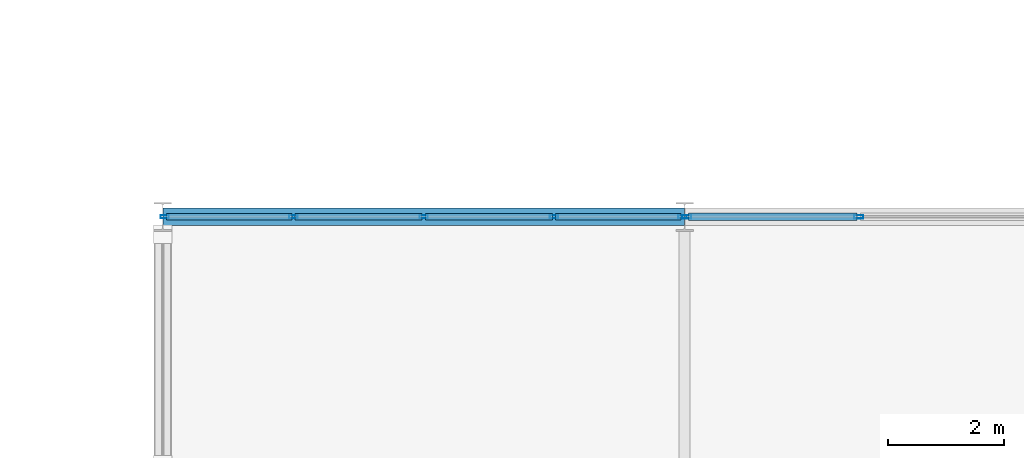
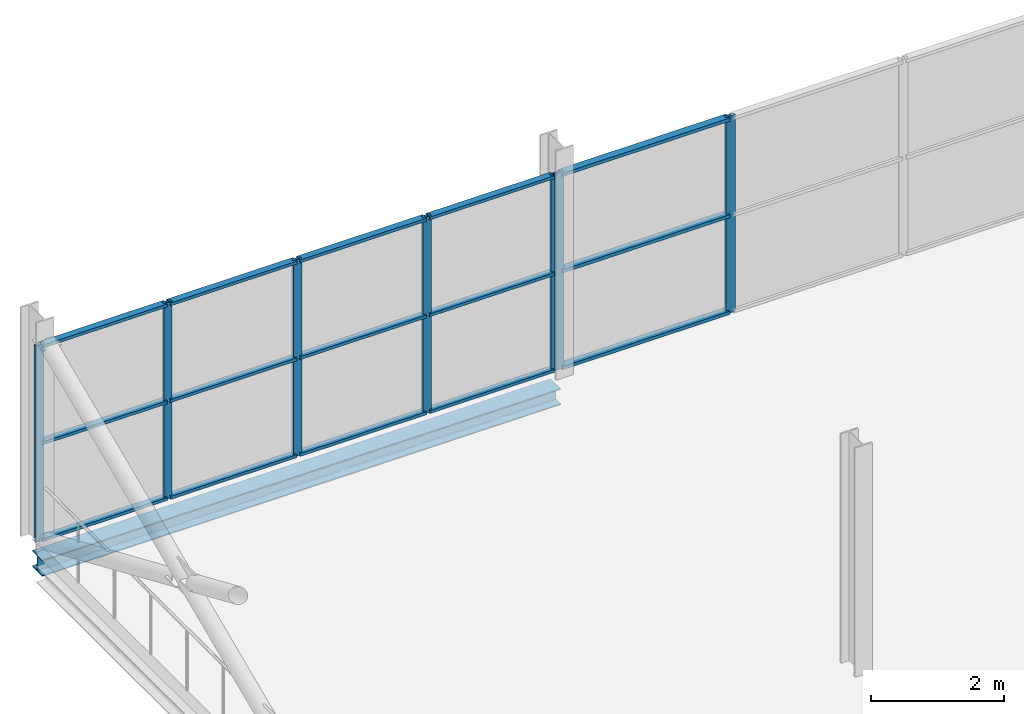
# One storey, part 71 of 140: 22 members, 1 beam, 2 elements without a shape of their own.
"""IFC4 building model written with IfcOpenShell, lengths in metres."""

from ifc_helpers import new_model, si_unit, direction, frame, origin, origin_2d, place, context, subcontext, project, spatial, hollow_rectangle, i_section, extrude, material, layer, layer_set, material_profile, profile_set, type_object, element, aggregate, save


model = new_model("IFC4")

# Units and contexts
model_context = context("Model", 3, precision=1e-05, world=origin(), true_north=direction((0.0, 1.0)))
body_context = subcontext(model_context, "Body", "Model", "MODEL_VIEW")
ifc_project = project(units=[si_unit("LENGTHUNIT", "METRE"), si_unit("AREAUNIT", "SQUARE_METRE"), si_unit("VOLUMEUNIT", "CUBIC_METRE"), si_unit("PLANEANGLEUNIT", "RADIAN"), si_unit("MASSUNIT", "GRAM", prefix="KILO")], contexts=[model_context])

# Site, building, storey
site_placement = place(None, origin())
site = spatial("IfcSite", under=ifc_project, at=site_placement, CompositionType="ELEMENT")
building_placement = place(site_placement, origin())
building = spatial("IfcBuilding", under=site, at=building_placement, Name="Deido Ridge Mobility Hub", CompositionType="ELEMENT")
storey_placement = place(building_placement, origin())
storey = spatial("IfcBuildingStorey", under=building, at=storey_placement, Name="L00", CompositionType="ELEMENT", Elevation=0.0)

# Curtain wall, members
ifc_material_1 = material(Name="Anodised aluminium EN AW-6063 T6", Category="aluminium")
ifc_layer_1 = layer(ifc_material_1, 0.132080078125, Name="Anodised aluminium EN AW-6063 T6")
ifc_layer_set_1 = layer_set([ifc_layer_1], Name="Anodised aluminium EN AW-6063 T6")
curtain_wall_type_1 = type_object("IfcCurtainWallType", Name="CW-GS-1", PredefinedType="USERDEFINED", material=ifc_layer_set_1)
curtain_wall_1_placement = place(storey_placement, origin())
curtain_wall_1 = element("IfcCurtainWall", 1, at=curtain_wall_1_placement, inside=storey, type_object=curtain_wall_type_1, Name="Unitised curtain wall GS1", ObjectType="GLAZED SCREEN", PredefinedType="USERDEFINED")
ifc_material_profile_1 = material_profile(ifc_material_1, hollow_rectangle(XDim=0.054931640625, YDim=0.14501953125, WallThickness=0.00390625, at=origin_2d()), Name="RHS 55x145x4")
ifc_profile_set_1 = profile_set([ifc_material_profile_1], Name="Anodised aluminium EN AW-6063 T6")
member_type_1 = type_object("IfcMemberType", Name="MEM-MUL-55X145", PredefinedType="MULLION", material=ifc_profile_set_1)
member_1_placement = place(storey_placement, frame((0.034912109375, 81.0, 0.0), z_axis=(0.0, 0.0, 1.0), x_axis=(0.0, 1.0, 0.0)))
member_1 = element("IfcMember", 2, at=member_1_placement, type_object=member_type_1, Name="GS1 mullion 1", PredefinedType="MULLION", context=body_context, shape_type="SweptSolid", body=[
    extrude(hollow_rectangle(XDim=0.054931640625, YDim=0.14501953125, WallThickness=0.00390625, at=origin_2d()), origin(), (0.0, 0.0, 1.0), 3.60009765625),
])
member_2_placement = place(storey_placement, frame((2.253662109375, 81.0, 0.0), z_axis=(0.0, 0.0, 1.0), x_axis=(0.0, 1.0, 0.0)))
member_2 = element("IfcMember", 3, at=member_2_placement, type_object=member_type_1, Name="GS1 mullion 2", PredefinedType="MULLION", context=body_context, shape_type="SweptSolid", body=[
    extrude(hollow_rectangle(XDim=0.054931640625, YDim=0.14501953125, WallThickness=0.00390625, at=origin_2d()), origin(), (0.0, 0.0, 1.0), 3.60009765625),
])
member_3_placement = place(storey_placement, frame((4.5, 81.0, 0.0), z_axis=(0.0, 0.0, 1.0), x_axis=(0.0, 1.0, 0.0)))
member_3 = element("IfcMember", 4, at=member_3_placement, type_object=member_type_1, Name="GS1 mullion 3", PredefinedType="MULLION", context=body_context, shape_type="SweptSolid", body=[
    extrude(hollow_rectangle(XDim=0.054931640625, YDim=0.14501953125, WallThickness=0.00390625, at=origin_2d()), origin(), (0.0, 0.0, 1.0), 3.60009765625),
])
member_4_placement = place(storey_placement, frame((6.746337890625, 81.0, 0.0), z_axis=(0.0, 0.0, 1.0), x_axis=(0.0, 1.0, 0.0)))
member_4 = element("IfcMember", 5, at=member_4_placement, type_object=member_type_1, Name="GS1 mullion 4", PredefinedType="MULLION", context=body_context, shape_type="SweptSolid", body=[
    extrude(hollow_rectangle(XDim=0.054931640625, YDim=0.14501953125, WallThickness=0.00390625, at=origin_2d()), origin(), (0.0, 0.0, 1.0), 3.60009765625),
])
member_5_placement = place(storey_placement, frame((8.965087890625, 81.0, 0.0), z_axis=(0.0, 0.0, 1.0), x_axis=(0.0, 1.0, 0.0)))
member_5 = element("IfcMember", 6, at=member_5_placement, type_object=member_type_1, Name="GS1 mullion 5", PredefinedType="MULLION", context=body_context, shape_type="SweptSolid", body=[
    extrude(hollow_rectangle(XDim=0.054931640625, YDim=0.14501953125, WallThickness=0.00390625, at=origin_2d()), origin(), (0.0, 0.0, 1.0), 3.60009765625),
])

ifc_layer_2 = layer(ifc_material_1, 0.14404296875, Name="Anodised aluminium EN AW-6063 T6")
ifc_layer_set_2 = layer_set([ifc_layer_2], Name="Anodised aluminium EN AW-6063 T6")
curtain_wall_type_2 = type_object("IfcCurtainWallType", Name="CW-GS-2", PredefinedType="USERDEFINED", material=ifc_layer_set_2)
curtain_wall_2_placement = place(storey_placement, origin())
curtain_wall_2 = element("IfcCurtainWall", 7, at=curtain_wall_2_placement, inside=storey, type_object=curtain_wall_type_2, Name="Unitised curtain wall GS2", ObjectType="GLAZED SCREEN", PredefinedType="USERDEFINED")
ifc_material_profile_2 = material_profile(ifc_material_1, hollow_rectangle(XDim=0.06005859375, YDim=0.159912109375, WallThickness=0.00390625, at=origin_2d()), Name="RHS 60x160x4")
ifc_profile_set_2 = profile_set([ifc_material_profile_2], Name="Anodised aluminium EN AW-6063 T6")
member_type_2 = type_object("IfcMemberType", Name="MEM-MUL-60X160", PredefinedType="MULLION", material=ifc_profile_set_2)
member_6_placement = place(storey_placement, frame((9.037353515625, 81.0, 0.0), z_axis=(0.0, 0.0, 1.0), x_axis=(0.0, 1.0, 0.0)))
member_6 = element("IfcMember", 8, at=member_6_placement, type_object=member_type_2, Name="GS2 mullion 1", PredefinedType="MULLION", context=body_context, shape_type="SweptSolid", body=[
    extrude(hollow_rectangle(XDim=0.06005859375, YDim=0.159912109375, WallThickness=0.00390625, at=origin_2d()), origin(), (0.0, 0.0, 1.0), 3.60009765625),
])
member_7_placement = place(storey_placement, frame((12.00244140625, 81.0, 0.0), z_axis=(0.0, 0.0, 1.0), x_axis=(0.0, 1.0, 0.0)))
member_7 = element("IfcMember", 9, at=member_7_placement, type_object=member_type_2, Name="GS2 mullion 2", PredefinedType="MULLION", context=body_context, shape_type="SweptSolid", body=[
    extrude(hollow_rectangle(XDim=0.06005859375, YDim=0.159912109375, WallThickness=0.00390625, at=origin_2d()), origin(), (0.0, 0.0, 1.0), 3.60009765625),
])

# Member
ifc_material_profile_3 = material_profile(ifc_material_1, hollow_rectangle(XDim=0.114990234375, YDim=0.054931640625, WallThickness=0.00390625, at=origin_2d()), Name="RHS 115x55x4")
ifc_profile_set_3 = profile_set([ifc_material_profile_3], Name="Anodised aluminium EN AW-6063 T6")
member_type_3 = type_object("IfcMemberType", Name="MEM-TRN-115X55", PredefinedType="USERDEFINED", material=ifc_profile_set_3)
member_8_placement = place(storey_placement, frame((0.062255859375, 81.0, 0.027587890625), z_axis=(1.0, 0.0, 0.0), x_axis=(0.0, 1.0, 0.0)))
member_8 = element("IfcMember", 10, at=member_8_placement, type_object=member_type_3, Name="GS1 transom 1.1", ObjectType="TRANSOM", PredefinedType="USERDEFINED", context=body_context, shape_type="SweptSolid", body=[
    extrude(hollow_rectangle(XDim=0.114990234375, YDim=0.054931640625, WallThickness=0.00390625, at=origin_2d()), origin(), (0.0, 0.0, 1.0), 2.163818359375),
])

member_9_placement = place(storey_placement, frame((0.062255859375, 81.0, 1.800048828125), z_axis=(1.0, 0.0, 0.0), x_axis=(0.0, 1.0, 0.0)))
member_9 = element("IfcMember", 11, at=member_9_placement, type_object=member_type_3, Name="GS1 transom 1.2", ObjectType="TRANSOM", PredefinedType="USERDEFINED", context=body_context, shape_type="SweptSolid", body=[
    extrude(hollow_rectangle(XDim=0.114990234375, YDim=0.054931640625, WallThickness=0.00390625, at=origin_2d()), origin(), (0.0, 0.0, 1.0), 2.163818359375),
])

member_10_placement = place(storey_placement, frame((0.062255859375, 81.0, 3.572509765625), z_axis=(1.0, 0.0, 0.0), x_axis=(0.0, 1.0, 0.0)))
member_10 = element("IfcMember", 12, at=member_10_placement, type_object=member_type_3, Name="GS1 transom 1.3", ObjectType="TRANSOM", PredefinedType="USERDEFINED", context=body_context, shape_type="SweptSolid", body=[
    extrude(hollow_rectangle(XDim=0.114990234375, YDim=0.054931640625, WallThickness=0.00390625, at=origin_2d()), origin(), (0.0, 0.0, 1.0), 2.163818359375),
])

member_11_placement = place(storey_placement, frame((2.28125, 81.0, 0.027587890625), z_axis=(1.0, 0.0, 0.0), x_axis=(0.0, 1.0, 0.0)))
member_11 = element("IfcMember", 13, at=member_11_placement, type_object=member_type_3, Name="GS1 transom 2.1", ObjectType="TRANSOM", PredefinedType="USERDEFINED", context=body_context, shape_type="SweptSolid", body=[
    extrude(hollow_rectangle(XDim=0.114990234375, YDim=0.054931640625, WallThickness=0.00390625, at=origin_2d()), origin(), (0.0, 0.0, 1.0), 2.191162109375),
])

member_12_placement = place(storey_placement, frame((2.28125, 81.0, 1.800048828125), z_axis=(1.0, 0.0, 0.0), x_axis=(0.0, 1.0, 0.0)))
member_12 = element("IfcMember", 14, at=member_12_placement, type_object=member_type_3, Name="GS1 transom 2.2", ObjectType="TRANSOM", PredefinedType="USERDEFINED", context=body_context, shape_type="SweptSolid", body=[
    extrude(hollow_rectangle(XDim=0.114990234375, YDim=0.054931640625, WallThickness=0.00390625, at=origin_2d()), origin(), (0.0, 0.0, 1.0), 2.191162109375),
])

member_13_placement = place(storey_placement, frame((2.28125, 81.0, 3.572509765625), z_axis=(1.0, 0.0, 0.0), x_axis=(0.0, 1.0, 0.0)))
member_13 = element("IfcMember", 15, at=member_13_placement, type_object=member_type_3, Name="GS1 transom 2.3", ObjectType="TRANSOM", PredefinedType="USERDEFINED", context=body_context, shape_type="SweptSolid", body=[
    extrude(hollow_rectangle(XDim=0.114990234375, YDim=0.054931640625, WallThickness=0.00390625, at=origin_2d()), origin(), (0.0, 0.0, 1.0), 2.191162109375),
])

member_14_placement = place(storey_placement, frame((4.527587890625, 81.0, 0.027587890625), z_axis=(1.0, 0.0, 0.0), x_axis=(0.0, 1.0, 0.0)))
member_14 = element("IfcMember", 16, at=member_14_placement, type_object=member_type_3, Name="GS1 transom 3.1", ObjectType="TRANSOM", PredefinedType="USERDEFINED", context=body_context, shape_type="SweptSolid", body=[
    extrude(hollow_rectangle(XDim=0.114990234375, YDim=0.054931640625, WallThickness=0.00390625, at=origin_2d()), origin(), (0.0, 0.0, 1.0), 2.191162109375),
])

member_15_placement = place(storey_placement, frame((4.527587890625, 81.0, 1.800048828125), z_axis=(1.0, 0.0, 0.0), x_axis=(0.0, 1.0, 0.0)))
member_15 = element("IfcMember", 17, at=member_15_placement, type_object=member_type_3, Name="GS1 transom 3.2", ObjectType="TRANSOM", PredefinedType="USERDEFINED", context=body_context, shape_type="SweptSolid", body=[
    extrude(hollow_rectangle(XDim=0.114990234375, YDim=0.054931640625, WallThickness=0.00390625, at=origin_2d()), origin(), (0.0, 0.0, 1.0), 2.191162109375),
])

member_16_placement = place(storey_placement, frame((4.527587890625, 81.0, 3.572509765625), z_axis=(1.0, 0.0, 0.0), x_axis=(0.0, 1.0, 0.0)))
member_16 = element("IfcMember", 18, at=member_16_placement, type_object=member_type_3, Name="GS1 transom 3.3", ObjectType="TRANSOM", PredefinedType="USERDEFINED", context=body_context, shape_type="SweptSolid", body=[
    extrude(hollow_rectangle(XDim=0.114990234375, YDim=0.054931640625, WallThickness=0.00390625, at=origin_2d()), origin(), (0.0, 0.0, 1.0), 2.191162109375),
])

member_17_placement = place(storey_placement, frame((6.77392578125, 81.0, 0.027587890625), z_axis=(1.0, 0.0, 0.0), x_axis=(0.0, 1.0, 0.0)))
member_17 = element("IfcMember", 19, at=member_17_placement, type_object=member_type_3, Name="GS1 transom 4.1", ObjectType="TRANSOM", PredefinedType="USERDEFINED", context=body_context, shape_type="SweptSolid", body=[
    extrude(hollow_rectangle(XDim=0.114990234375, YDim=0.054931640625, WallThickness=0.00390625, at=origin_2d()), origin(), (0.0, 0.0, 1.0), 2.163818359375),
])

member_18_placement = place(storey_placement, frame((6.77392578125, 81.0, 1.800048828125), z_axis=(1.0, 0.0, 0.0), x_axis=(0.0, 1.0, 0.0)))
member_18 = element("IfcMember", 20, at=member_18_placement, type_object=member_type_3, Name="GS1 transom 4.2", ObjectType="TRANSOM", PredefinedType="USERDEFINED", context=body_context, shape_type="SweptSolid", body=[
    extrude(hollow_rectangle(XDim=0.114990234375, YDim=0.054931640625, WallThickness=0.00390625, at=origin_2d()), origin(), (0.0, 0.0, 1.0), 2.163818359375),
])

member_19_placement = place(storey_placement, frame((6.77392578125, 81.0, 3.572509765625), z_axis=(1.0, 0.0, 0.0), x_axis=(0.0, 1.0, 0.0)))
member_19 = element("IfcMember", 21, at=member_19_placement, type_object=member_type_3, Name="GS1 transom 4.3", ObjectType="TRANSOM", PredefinedType="USERDEFINED", context=body_context, shape_type="SweptSolid", body=[
    extrude(hollow_rectangle(XDim=0.114990234375, YDim=0.054931640625, WallThickness=0.00390625, at=origin_2d()), origin(), (0.0, 0.0, 1.0), 2.163818359375),
])

aggregate(curtain_wall_1, [member_1, member_2, member_3, member_4, member_5, member_8, member_9, member_10, member_11, member_12, member_13, member_14, member_15, member_16, member_17, member_18, member_19])

ifc_material_profile_4 = material_profile(ifc_material_1, hollow_rectangle(XDim=0.125, YDim=0.06005859375, WallThickness=0.00390625, at=origin_2d()), Name="RHS 125x60x4")
ifc_profile_set_4 = profile_set([ifc_material_profile_4], Name="Anodised aluminium EN AW-6063 T6")
member_type_4 = type_object("IfcMemberType", Name="MEM-TRN-125X60", PredefinedType="USERDEFINED", material=ifc_profile_set_4)
member_20_placement = place(storey_placement, frame((9.0673828125, 81.0, 0.030029296875), z_axis=(1.0, 0.0, 0.0), x_axis=(0.0, 1.0, 0.0)))
member_20 = element("IfcMember", 22, at=member_20_placement, type_object=member_type_4, Name="GS2 transom 1.1", ObjectType="TRANSOM", PredefinedType="USERDEFINED", context=body_context, shape_type="SweptSolid", body=[
    extrude(hollow_rectangle(XDim=0.125, YDim=0.06005859375, WallThickness=0.00390625, at=origin_2d()), origin(), (0.0, 0.0, 1.0), 2.905029296875),
])

member_21_placement = place(storey_placement, frame((9.0673828125, 81.0, 1.800048828125), z_axis=(1.0, 0.0, 0.0), x_axis=(0.0, 1.0, 0.0)))
member_21 = element("IfcMember", 23, at=member_21_placement, type_object=member_type_4, Name="GS2 transom 1.2", ObjectType="TRANSOM", PredefinedType="USERDEFINED", context=body_context, shape_type="SweptSolid", body=[
    extrude(hollow_rectangle(XDim=0.125, YDim=0.06005859375, WallThickness=0.00390625, at=origin_2d()), origin(), (0.0, 0.0, 1.0), 2.905029296875),
])

member_22_placement = place(storey_placement, frame((9.0673828125, 81.0, 3.570068359375), z_axis=(1.0, 0.0, 0.0), x_axis=(0.0, 1.0, 0.0)))
member_22 = element("IfcMember", 24, at=member_22_placement, type_object=member_type_4, Name="GS2 transom 1.3", ObjectType="TRANSOM", PredefinedType="USERDEFINED", context=body_context, shape_type="SweptSolid", body=[
    extrude(hollow_rectangle(XDim=0.125, YDim=0.06005859375, WallThickness=0.00390625, at=origin_2d()), origin(), (0.0, 0.0, 1.0), 2.905029296875),
])

aggregate(curtain_wall_2, [member_6, member_7, member_20, member_21, member_22])

# Beam
ifc_material_2 = material(Name="Steel S355J2 EN 10025-2", Category="steel")
ifc_material_profile_5 = material_profile(ifc_material_2, i_section(OverallWidth=0.300048828125, OverallDepth=0.300048828125, WebThickness=0.010986328125, FlangeThickness=0.01904296875, FilletRadius=0.027099609375, at=origin_2d()), Name="HEB 300")
ifc_profile_set_5 = profile_set([ifc_material_profile_5], Name="Steel S355J2 EN 10025-2")
beam_type = type_object("IfcBeamType", Name="SPD-HEB300", PredefinedType="SPANDREL", material=ifc_profile_set_5)
beam_placement = place(storey_placement, frame((0.00732421875, 81.0, -0.409912109375), z_axis=(1.0, 0.0, 0.0), x_axis=(0.0, 1.0, 0.0)))
element("IfcBeam", 25, at=beam_placement, inside=storey, type_object=beam_type, Name="Floor beam SP1", PredefinedType="SPANDREL", context=body_context, shape_type="SweptSolid", body=[
    extrude(i_section(OverallWidth=0.300048828125, OverallDepth=0.300048828125, WebThickness=0.010986328125, FlangeThickness=0.01904296875, FilletRadius=0.027099609375, at=origin_2d()), origin(), (0.0, 0.0, 1.0), 8.9853515625),
])

save(model, "model.ifc")
